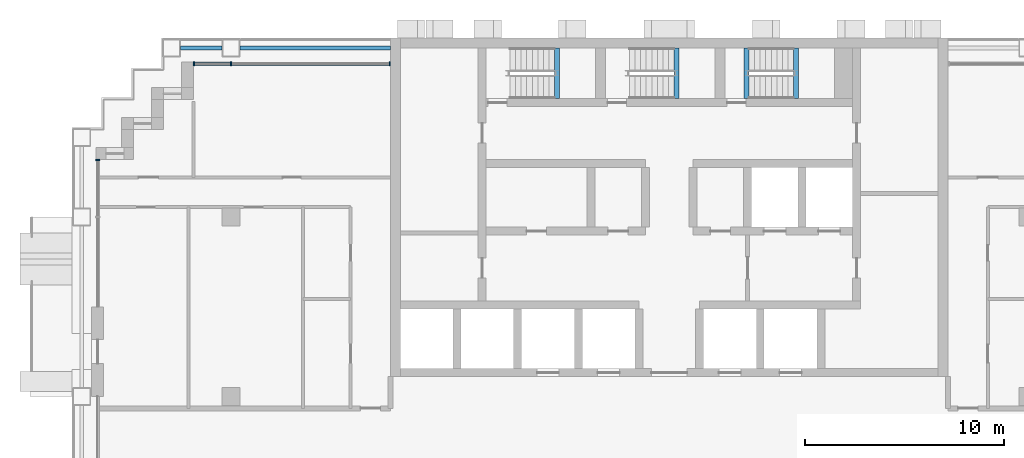
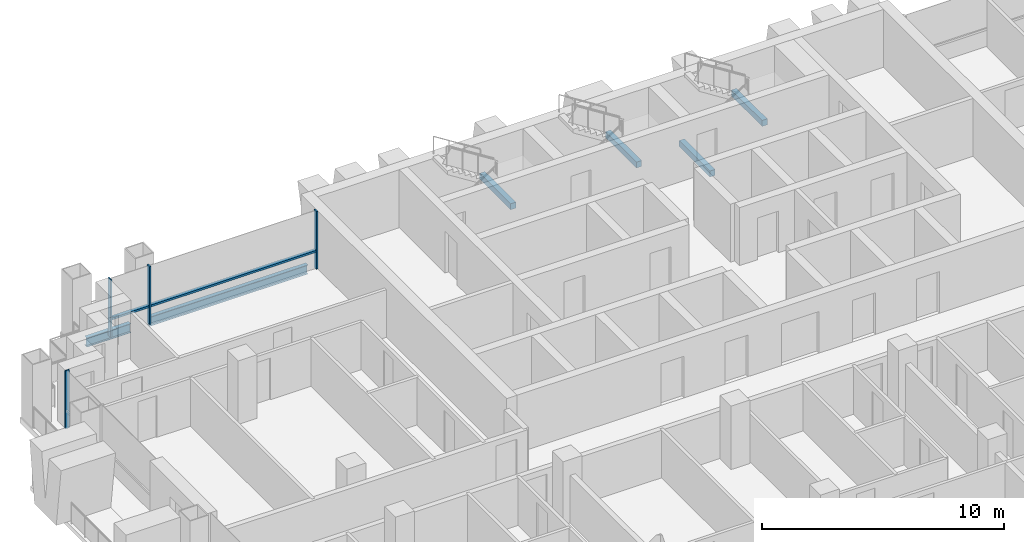
# One storey, part 4 of 18: 6 beams, 6 members, 2 elements without a shape of their own.
"""IFC4 building model written with IfcOpenShell, lengths in metres."""

from ifc_helpers import new_model, si_unit, direction, frame, origin, origin_2d, place, context, subcontext, project, spatial, rectangle, i_section, extrude, material, material_profile, profile_set, type_object, element, aggregate, save


model = new_model("IFC4")

# Units and contexts
model_context = context("Model", 3, precision=1e-05, world=origin(), true_north=direction((0.0, 1.0)))
body_context = subcontext(model_context, "Body", "Model", "MODEL_VIEW")
ifc_project = project(units=[si_unit("LENGTHUNIT", "METRE"), si_unit("AREAUNIT", "SQUARE_METRE"), si_unit("VOLUMEUNIT", "CUBIC_METRE"), si_unit("PLANEANGLEUNIT", "RADIAN"), si_unit("MASSUNIT", "GRAM", prefix="KILO")], contexts=[model_context])

# Site, building, storey
site_placement = place(None, origin())
site = spatial("IfcSite", under=ifc_project, at=site_placement, CompositionType="ELEMENT")
building_placement = place(site_placement, origin())
building = spatial("IfcBuilding", under=site, at=building_placement, Name="Vidyagriha Tower", CompositionType="ELEMENT")
storey_placement = place(building_placement, frame((0.0, 0.0, 93.5)))
storey = spatial("IfcBuildingStorey", under=building, at=storey_placement, Name="L24", CompositionType="ELEMENT", Elevation=93.5)

# Beams
ifc_material_1 = material(Name="Steel ASTM A992 Grade 50", Category="steel")
ifc_material_profile_1 = material_profile(ifc_material_1, i_section(OverallWidth=0.19189453125, OverallDepth=0.46240234375, WebThickness=0.010498046875, FlangeThickness=0.017578125, at=origin_2d()), Name="W18X60")
ifc_profile_set_1 = profile_set([ifc_material_profile_1], Name="Steel ASTM A992 Grade 50")
beam_type_1 = type_object("IfcBeamType", Name="Edge beam W18X60", PredefinedType="SPANDREL", material=ifc_profile_set_1)
beam_1_placement = place(storey_placement, frame((-24.550048828125, 19.5, -0.51123046875), z_axis=(1.0, 0.0, 0.0), x_axis=(0.0, 1.0, 0.0)))
element("IfcBeam", 1, at=beam_1_placement, inside=storey, type_object=beam_type_1, Name="st-beam-L24-NW20", PredefinedType="SPANDREL", context=body_context, shape_type="SweptSolid", body=[
    extrude(i_section(OverallWidth=0.19189453125, OverallDepth=0.46240234375, WebThickness=0.010498046875, FlangeThickness=0.017578125, at=origin_2d()), origin(), (0.0, 0.0, 1.0), 2.10009765625),
])
beam_2_placement = place(storey_placement, frame((-21.550048828125, 19.5, -0.51123046875), z_axis=(1.0, 0.0, 0.0), x_axis=(0.0, 1.0, 0.0)))
element("IfcBeam", 2, at=beam_2_placement, inside=storey, type_object=beam_type_1, Name="st-beam-L24-NC24", PredefinedType="SPANDREL", context=body_context, shape_type="SweptSolid", body=[
    extrude(i_section(OverallWidth=0.19189453125, OverallDepth=0.46240234375, WebThickness=0.010498046875, FlangeThickness=0.017578125, at=origin_2d()), origin(), (0.0, 0.0, 1.0), 7.550048828125),
])

# Curtain wall, members
ifc_material_2 = material(Name="Aluminium and glass curtain wall", Category="aluminium")
curtain_wall_type = type_object("IfcCurtainWallType", Name="Dwelling skin unitised curtain wall", PredefinedType="USERDEFINED", material=ifc_material_2)
curtain_wall_1_placement = place(storey_placement, origin())
curtain_wall_1 = element("IfcCurtainWall", 3, at=curtain_wall_1_placement, inside=storey, type_object=curtain_wall_type, Name="CW1 dwelling skin", ObjectType="UNITISED", PredefinedType="USERDEFINED")
ifc_material_3 = material(Name="Aluminium black anodised", Category="aluminium")
ifc_material_profile_2 = material_profile(ifc_material_3, rectangle(XDim=0.199951171875, YDim=0.070068359375, at=origin_2d()), Name="Mullion 70x200 black aluminium")
ifc_profile_set_2 = profile_set([ifc_material_profile_2], Name="Aluminium black anodised")
member_type_1 = type_object("IfcMemberType", Name="Mullion 70x200 black aluminium", PredefinedType="MULLION", material=ifc_profile_set_2)
member_1_placement = place(storey_placement, frame((-14.034912109375, 18.699951171875, 0.0), z_axis=(0.0, 0.0, 1.0), x_axis=(0.0, -1.0, 0.0)))
member_1 = element("IfcMember", 4, at=member_1_placement, type_object=member_type_1, Name="CW1 mullion 1", PredefinedType="MULLION", context=body_context, shape_type="SweptSolid", body=[
    extrude(rectangle(XDim=0.199951171875, YDim=0.070068359375, at=origin_2d()), origin(), (0.0, 0.0, 1.0), 2.919921875),
])
member_2_placement = place(storey_placement, frame((-22.0, 18.699951171875, 0.0), z_axis=(0.0, 0.0, 1.0), x_axis=(0.0, -1.0, 0.0)))
member_2 = element("IfcMember", 5, at=member_2_placement, type_object=member_type_1, Name="CW1 mullion 2", PredefinedType="MULLION", context=body_context, shape_type="SweptSolid", body=[
    extrude(rectangle(XDim=0.199951171875, YDim=0.070068359375, at=origin_2d()), origin(), (0.0, 0.0, 1.0), 2.919921875),
])
member_3_placement = place(storey_placement, frame((-23.864990234375, 18.699951171875, 0.0), z_axis=(0.0, 0.0, 1.0), x_axis=(0.0, -1.0, 0.0)))
member_3 = element("IfcMember", 6, at=member_3_placement, type_object=member_type_1, Name="CW1 mullion 3", PredefinedType="MULLION", context=body_context, shape_type="SweptSolid", body=[
    extrude(rectangle(XDim=0.199951171875, YDim=0.070068359375, at=origin_2d()), origin(), (0.0, 0.0, 1.0), 2.919921875),
])

# Curtain wall, member
curtain_wall_2_placement = place(storey_placement, origin())
curtain_wall_2 = element("IfcCurtainWall", 7, at=curtain_wall_2_placement, inside=storey, type_object=curtain_wall_type, Name="CW1 dwelling skin", ObjectType="UNITISED", PredefinedType="USERDEFINED")
member_4_placement = place(storey_placement, frame((-28.699951171875, 13.864990234375, 0.0)))
member_4 = element("IfcMember", 8, at=member_4_placement, type_object=member_type_1, Name="CW1 mullion 1", PredefinedType="MULLION", context=body_context, shape_type="SweptSolid", body=[
    extrude(rectangle(XDim=0.199951171875, YDim=0.070068359375, at=origin_2d()), origin(), (0.0, 0.0, 1.0), 2.919921875),
])
aggregate(curtain_wall_2, [member_4])

# Beams
ifc_material_4 = material(Name="Concrete C40/50", Category="concrete")
ifc_material_profile_3 = material_profile(ifc_material_4, rectangle(XDim=0.25, YDim=0.300048828125, at=origin_2d()), Name="Stair landing bearing beam 250x300")
ifc_profile_set_3 = profile_set([ifc_material_profile_3], Name="Concrete C40/50")
beam_type_2 = type_object("IfcBeamType", Name="Stair landing bearing beam 250x300", PredefinedType="BEAM", material=ifc_profile_set_3)
for number, where, z_axis, x_axis, name in (
    (9, (3.875, 16.949951171875, -0.429931640625), (0.0, 1.0, 0.0), (-1.0, 0.0, 0.0), "ST3 floor landing bearing beam L24"),
    (10, (-5.635009765625, 16.949951171875, 1.25), (0.0, 1.0, 0.0), (-1.0, 0.0, 0.0), "ST1 landing bearing beam L24"),
    (11, (0.364990234375, 16.949951171875, 1.25), (0.0, 1.0, 0.0), (-1.0, 0.0, 0.0), "ST2 landing bearing beam L24"),
    (12, (6.364990234375, 16.949951171875, 1.25), (0.0, 1.0, 0.0), (-1.0, 0.0, 0.0), "ST3 landing bearing beam L24"),
):
    element("IfcBeam", number, at=place(storey_placement, frame(where, z_axis=z_axis, x_axis=x_axis)), inside=storey, type_object=beam_type_2, Name=name, PredefinedType="BEAM", context=body_context, shape_type="SweptSolid", body=[
        extrude(rectangle(XDim=0.25, YDim=0.300048828125, at=origin_2d()), origin(), (0.0, 0.0, 1.0), 2.550048828125),
    ])

# Member
ifc_material_5 = material(Name="Aluminium black anodised", Category="aluminium")
ifc_material_profile_4 = material_profile(ifc_material_5, rectangle(XDim=0.159912109375, YDim=0.10009765625, at=origin_2d()), Name="Transom 100x160 black aluminium")
ifc_profile_set_4 = profile_set([ifc_material_profile_4], Name="Aluminium black anodised")
member_type_2 = type_object("IfcMemberType", Name="Transom 100x160 black aluminium", PredefinedType="USERDEFINED", material=ifc_profile_set_4)
member_5_placement = place(storey_placement, frame((-14.070068359375, 18.699951171875, 0.89990234375), z_axis=(-1.0, 0.0, 0.0), x_axis=(0.0, -1.0, 0.0)))
member_5 = element("IfcMember", 13, at=member_5_placement, type_object=member_type_2, Name="CW1 transom 1.1", ObjectType="TRANSOM", PredefinedType="USERDEFINED", context=body_context, shape_type="SweptSolid", body=[
    extrude(rectangle(XDim=0.159912109375, YDim=0.10009765625, at=origin_2d()), origin(), (0.0, 0.0, 1.0), 7.89501953125),
])

member_6_placement = place(storey_placement, frame((-22.034912109375, 18.699951171875, 0.89990234375), z_axis=(-1.0, 0.0, 0.0), x_axis=(0.0, -1.0, 0.0)))
member_6 = element("IfcMember", 14, at=member_6_placement, type_object=member_type_2, Name="CW1 transom 2.1", ObjectType="TRANSOM", PredefinedType="USERDEFINED", context=body_context, shape_type="SweptSolid", body=[
    extrude(rectangle(XDim=0.159912109375, YDim=0.10009765625, at=origin_2d()), origin(), (0.0, 0.0, 1.0), 1.795166015625),
])

aggregate(curtain_wall_1, [member_1, member_2, member_3, member_5, member_6])

save(model, "model.ifc")
